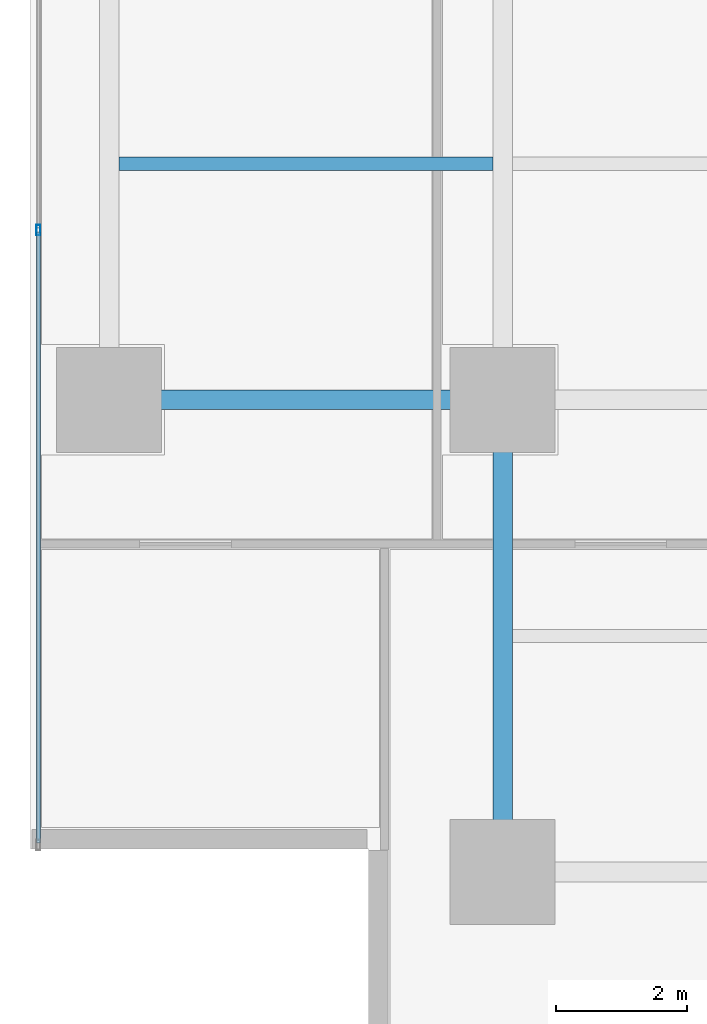
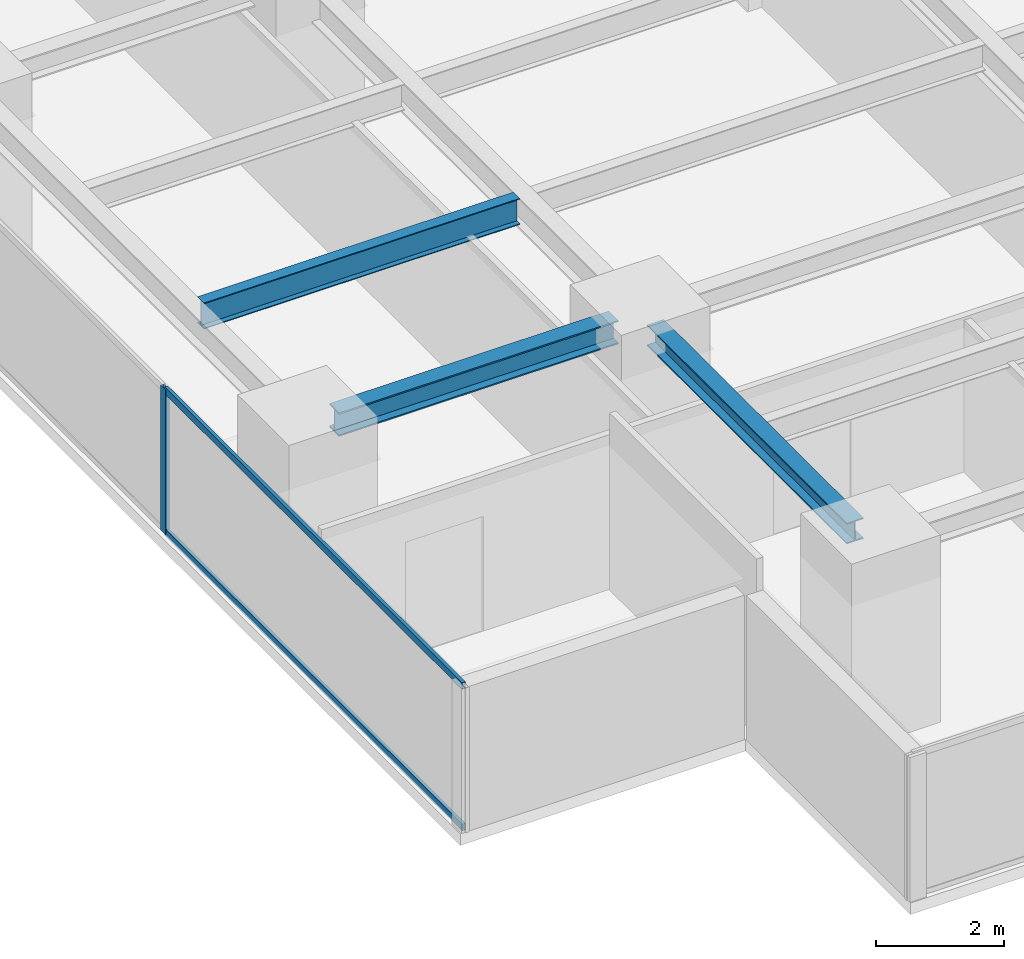
# One storey, part 3 of 28: 3 beams, 3 members, 1 element without a shape of its own.
"""IFC4 building model written with IfcOpenShell, lengths in metres."""

from ifc_helpers import new_model, si_unit, direction, frame, origin, origin_2d, place, context, subcontext, project, spatial, hollow_rectangle, i_section, extrude, source, transform, mapped, material, layer, layer_set, material_profile, profile_set, type_object, element, aggregate, save


model = new_model("IFC4")

# Units and contexts
model_context = context("Model", 3, precision=1e-05, world=origin(), true_north=direction((0.0, 1.0)))
body_context = subcontext(model_context, "Body", "Model", "MODEL_VIEW")
ifc_project = project(units=[si_unit("LENGTHUNIT", "METRE"), si_unit("AREAUNIT", "SQUARE_METRE"), si_unit("VOLUMEUNIT", "CUBIC_METRE"), si_unit("PLANEANGLEUNIT", "RADIAN"), si_unit("MASSUNIT", "GRAM", prefix="KILO")], contexts=[model_context])

# Site, building, storey
site_placement = place(None, origin())
site = spatial("IfcSite", under=ifc_project, at=site_placement, CompositionType="ELEMENT")
building_placement = place(site_placement, origin())
building = spatial("IfcBuilding", under=site, at=building_placement, Name="Sumidabori Civic Tower", CompositionType="ELEMENT")
storey_placement = place(building_placement, frame((0.0, 0.0, 178.39990234375)))
storey = spatial("IfcBuildingStorey", under=building, at=storey_placement, Name="L46", CompositionType="ELEMENT", Elevation=178.39990234375)

# Beams
ifc_material_1 = material(Name="Steel SN490", Category="steel")
ifc_material_profile_1 = material_profile(ifc_material_1, i_section(OverallWidth=0.300048828125, OverallDepth=0.39990234375, WebThickness=0.013427734375, FlangeThickness=0.02392578125, at=origin_2d()), Name="HE 400 B")
ifc_profile_set_1 = profile_set([ifc_material_profile_1], Name="Steel SN490")
beam_type_1 = type_object("IfcBeamType", Name="BM-GIRD-400", PredefinedType="BEAM", material=ifc_profile_set_1)
shared_shape_1 = source(origin(), body_context, "Body", "SweptSolid", [
    extrude(i_section(OverallWidth=0.300048828125, OverallDepth=0.39990234375, WebThickness=0.013427734375, FlangeThickness=0.02392578125, at=origin_2d()), origin(), (0.0, 0.0, 1.0), 6.239990234375),
])
beam_1_placement = place(storey_placement, frame((-16.800048828125, -17.52001953125, 3.18017578125), z_axis=(0.0, 1.0, 0.0), x_axis=(-1.0, 0.0, 0.0)))
element("IfcBeam", 1, at=beam_1_placement, inside=storey, type_object=beam_type_1, Name="Primary Girder L46 GY-22", PredefinedType="BEAM", context=body_context, shape_type="MappedRepresentation", body=[
    mapped(shared_shape_1, transform((0.0, 0.0, 0.0), x_axis=(1.0, 0.0, 0.0), y_axis=(0.0, 1.0, 0.0), z_axis=(0.0, 0.0, 1.0), scale=1.0)),
])
ifc_material_profile_2 = material_profile(ifc_material_1, i_section(OverallWidth=0.199951171875, OverallDepth=0.5, WebThickness=0.01025390625, FlangeThickness=0.01611328125, at=origin_2d()), Name="IPE 500")
ifc_profile_set_2 = profile_set([ifc_material_profile_2], Name="Steel SN490")
beam_type_2 = type_object("IfcBeamType", Name="BM-JST-500", PredefinedType="JOIST", material=ifc_profile_set_2)
shared_shape_2 = source(origin(), body_context, "Body", "SweptSolid", [
    extrude(i_section(OverallWidth=0.199951171875, OverallDepth=0.5, WebThickness=0.01025390625, FlangeThickness=0.01611328125, at=origin_2d()), origin(), (0.0, 0.0, 1.0), 5.699951171875),
])
beam_2_placement = place(storey_placement, frame((-22.64990234375, -7.199951171875, 3.130126953125), z_axis=(1.0, 0.0, 0.0), x_axis=(0.0, 1.0, 0.0)))
element("IfcBeam", 2, at=beam_2_placement, inside=storey, type_object=beam_type_2, Name="Outer Bay Floor Joist L46 JSTO-39", PredefinedType="JOIST", context=body_context, shape_type="MappedRepresentation", body=[
    mapped(shared_shape_2, transform((0.0, 0.0, 0.0), x_axis=(1.0, 0.0, 0.0), y_axis=(0.0, 1.0, 0.0), z_axis=(0.0, 0.0, 1.0), scale=1.0)),
])
ifc_material_profile_3 = material_profile(ifc_material_1, i_section(OverallWidth=0.300048828125, OverallDepth=0.449951171875, WebThickness=0.013916015625, FlangeThickness=0.02587890625, at=origin_2d()), Name="HE 450 B")
ifc_profile_set_3 = profile_set([ifc_material_profile_3], Name="Steel SN490")
beam_type_3 = type_object("IfcBeamType", Name="BM-GIRD-450", PredefinedType="BEAM", material=ifc_profile_set_3)
shared_shape_3 = source(origin(), body_context, "Body", "SweptSolid", [
    extrude(i_section(OverallWidth=0.300048828125, OverallDepth=0.449951171875, WebThickness=0.013916015625, FlangeThickness=0.02587890625, at=origin_2d()), origin(), (0.0, 0.0, 1.0), 5.0400390625),
])
beam_3_placement = place(storey_placement, frame((-22.320068359375, -10.800048828125, 3.155029296875), z_axis=(1.0, 0.0, 0.0), x_axis=(0.0, 1.0, 0.0)))
element("IfcBeam", 3, at=beam_3_placement, inside=storey, type_object=beam_type_3, Name="Primary Girder L46 GX-05", PredefinedType="BEAM", context=body_context, shape_type="MappedRepresentation", body=[
    mapped(shared_shape_3, transform((0.0, 0.0, 0.0), x_axis=(1.0, 0.0, 0.0), y_axis=(0.0, 1.0, 0.0), z_axis=(0.0, 0.0, 1.0), scale=1.0)),
])

# Curtain wall, members
ifc_material_2 = material(Name="Anodised Bronze Aluminium AW-6063-T6", Category="aluminium")
ifc_layer = layer(ifc_material_2, 0.179931640625, Name="Anodised Bronze Aluminium AW-6063-T6")
ifc_layer_set = layer_set([ifc_layer], Name="Anodised Bronze Aluminium AW-6063-T6")
curtain_wall_type = type_object("IfcCurtainWallType", Name="CW-SYS-3", PredefinedType="NOTDEFINED", material=ifc_layer_set)
curtain_wall_placement = place(storey_placement, origin())
curtain_wall = element("IfcCurtainWall", 4, at=curtain_wall_placement, inside=storey, type_object=curtain_wall_type, Name="Curtain Wall CW:L46:R10", PredefinedType="NOTDEFINED")
ifc_material_profile_4 = material_profile(ifc_material_2, hollow_rectangle(XDim=0.06494140625, YDim=0.159912109375, WallThickness=0.0048828125, at=origin_2d()), Name="ALU MULLION 160x65")
ifc_profile_set_4 = profile_set([ifc_material_profile_4], Name="Anodised Bronze Aluminium AW-6063-T6")
member_type_1 = type_object("IfcMemberType", Name="CW-MUL-160", PredefinedType="MULLION", material=ifc_profile_set_4)
shared_shape_4 = source(origin(), body_context, "Body", "SweptSolid", [
    extrude(hollow_rectangle(XDim=0.06494140625, YDim=0.159912109375, WallThickness=0.0048828125, at=origin_2d()), origin(), (0.0, 0.0, 1.0), 2.760009765625),
])
member_1_placement = place(storey_placement, frame((-23.8798828125, -8.2099609375, 0.0), z_axis=(0.0, 0.0, 1.0), x_axis=(1.0, 0.0, 0.0)))
member_1 = element("IfcMember", 5, at=member_1_placement, type_object=member_type_1, Name="CW-3 mullion 4", PredefinedType="MULLION", context=body_context, shape_type="MappedRepresentation", body=[
    mapped(shared_shape_4, transform((0.0, 0.0, 0.0), x_axis=(1.0, 0.0, 0.0), y_axis=(0.0, 1.0, 0.0), z_axis=(0.0, 0.0, 1.0), scale=1.0)),
])
ifc_material_profile_5 = material_profile(ifc_material_2, hollow_rectangle(XDim=0.06005859375, YDim=0.1298828125, WallThickness=0.0048828125, at=origin_2d()), Name="ALU TRANSOM 130x60")
ifc_profile_set_5 = profile_set([ifc_material_profile_5], Name="Anodised Bronze Aluminium AW-6063-T6")
member_type_2 = type_object("IfcMemberType", Name="CW-TRN-130", PredefinedType="USERDEFINED", material=ifc_profile_set_5)
shared_shape_5 = source(origin(), body_context, "Body", "SweptSolid", [
    extrude(hollow_rectangle(XDim=0.06005859375, YDim=0.1298828125, WallThickness=0.0048828125, at=origin_2d()), origin(), (0.0, 0.0, 1.0), 9.3125),
])
member_2_placement = place(storey_placement, frame((-23.8798828125, -8.242431640625, 0.030029296875), z_axis=(0.0, -1.0, 0.0), x_axis=(1.0, 0.0, 0.0)))
member_2 = element("IfcMember", 6, at=member_2_placement, type_object=member_type_2, Name="CW-3 transom 4.1", ObjectType="TRANSOM", PredefinedType="USERDEFINED", context=body_context, shape_type="MappedRepresentation", body=[
    mapped(shared_shape_5, transform((0.0, 0.0, 0.0), x_axis=(1.0, 0.0, 0.0), y_axis=(0.0, 1.0, 0.0), z_axis=(0.0, 0.0, 1.0), scale=1.0)),
])
member_3_placement = place(storey_placement, frame((-23.8798828125, -8.242431640625, 2.72998046875), z_axis=(0.0, -1.0, 0.0), x_axis=(1.0, 0.0, 0.0)))
member_3 = element("IfcMember", 7, at=member_3_placement, type_object=member_type_2, Name="CW-3 transom 4.2", ObjectType="TRANSOM", PredefinedType="USERDEFINED", context=body_context, shape_type="MappedRepresentation", body=[
    mapped(shared_shape_5, transform((0.0, 0.0, 0.0), x_axis=(1.0, 0.0, 0.0), y_axis=(0.0, 1.0, 0.0), z_axis=(0.0, 0.0, 1.0), scale=1.0)),
])
aggregate(curtain_wall, [member_1, member_2, member_3])

save(model, "model.ifc")
